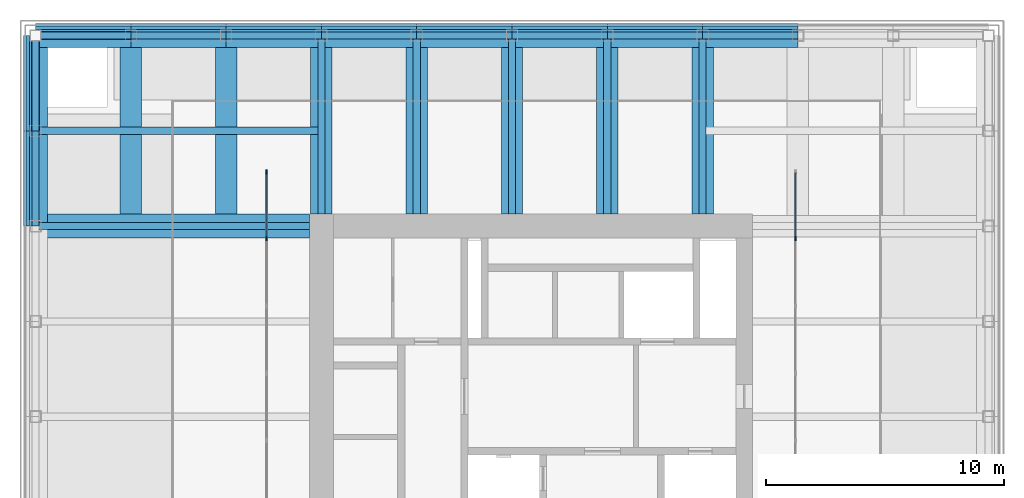
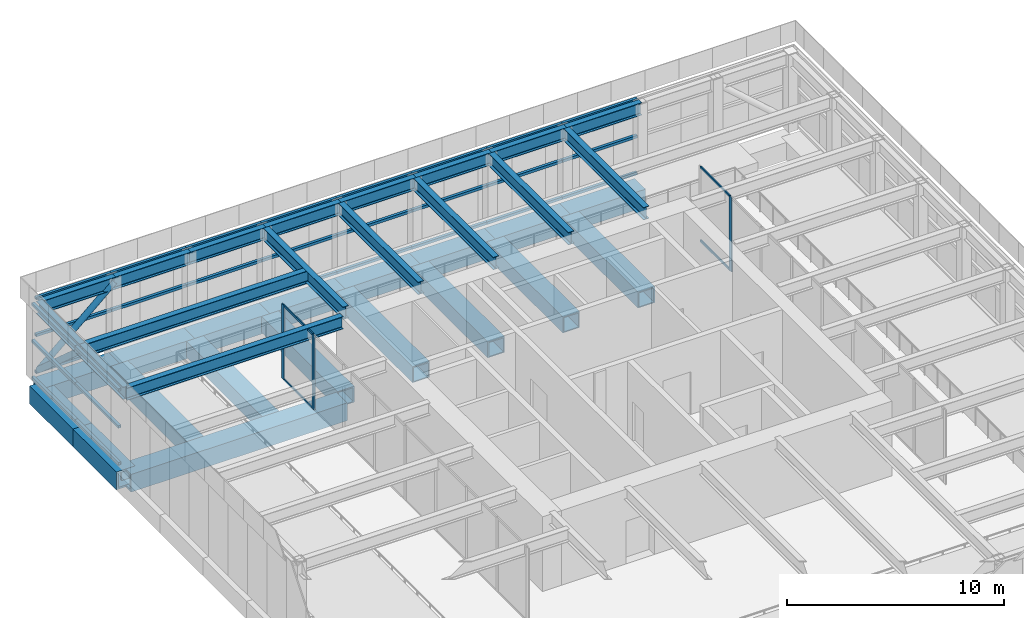
# One storey, part 5 of 11: 39 members, 35 beams, 2 elements without a shape of their own.
"""IFC4 building model written with IfcOpenShell, lengths in metres."""

from ifc_helpers import new_model, si_unit, direction, frame, origin, origin_2d, place, context, subcontext, project, spatial, rectangle, hollow_rectangle, hollow_circle, i_section, extrude, material, material_profile, profile_set, type_object, element, aggregate, save


model = new_model("IFC4")

# Units and contexts
model_context = context("Model", 3, precision=1e-05, world=origin(), true_north=direction((0.0, 1.0)))
body_context = subcontext(model_context, "Body", "Model", "MODEL_VIEW")
ifc_project = project(units=[si_unit("LENGTHUNIT", "METRE"), si_unit("AREAUNIT", "SQUARE_METRE"), si_unit("VOLUMEUNIT", "CUBIC_METRE"), si_unit("PLANEANGLEUNIT", "RADIAN"), si_unit("MASSUNIT", "GRAM", prefix="KILO")], contexts=[model_context])

# Site, building, storey
site_placement = place(None, origin())
site = spatial("IfcSite", under=ifc_project, at=site_placement, CompositionType="ELEMENT")
building_placement = place(site_placement, origin())
building = spatial("IfcBuilding", under=site, at=building_placement, Name="Rimbunsela Tower", CompositionType="ELEMENT")
storey_placement = place(building_placement, frame((0.0, 0.0, 304.199951171875)))
storey = spatial("IfcBuildingStorey", under=building, at=storey_placement, Name="RF", CompositionType="ELEMENT", Elevation=304.199951171875)

# Beams
ifc_material_1 = material(Name="Steel BJ 55 (fy 410 MPa)", Category="steel")
ifc_material_profile_1 = material_profile(ifc_material_1, hollow_rectangle(XDim=1.0, YDim=1.0, WallThickness=0.10009765625, at=origin_2d()), Name="BOX 1000x1000x100")
ifc_profile_set_1 = profile_set([ifc_material_profile_1], Name="Steel BJ 55 (fy 410 MPa)")
beam_type_1 = type_object("IfcBeamType", Name="Beam BOX 1000x1000x100", PredefinedType="BEAM", material=ifc_profile_set_1)
beam_1_placement = place(storey_placement, frame((6.0, 36.0, -0.800048828125), z_axis=(0.0, 1.0, 0.0), x_axis=(-1.0, 0.0, 0.0)))
element("IfcBeam", 1, at=beam_1_placement, inside=storey, type_object=beam_type_1, Name="Beam B3 RF", PredefinedType="BEAM", context=body_context, shape_type="SweptSolid", body=[
    extrude(hollow_rectangle(XDim=1.0, YDim=1.0, WallThickness=0.10009765625, at=origin_2d()), origin(), (0.0, 0.0, 1.0), 4.0),
])
beam_2_placement = place(storey_placement, frame((6.0, 36.0, -0.800048828125), z_axis=(1.0, 0.0, 0.0), x_axis=(0.0, 1.0, 0.0)))
element("IfcBeam", 2, at=beam_2_placement, inside=storey, type_object=beam_type_1, Name="Beam B3 RF", PredefinedType="BEAM", context=body_context, shape_type="SweptSolid", body=[
    extrude(hollow_rectangle(XDim=1.0, YDim=1.0, WallThickness=0.10009765625, at=origin_2d()), origin(), (0.0, 0.0, 1.0), 11.5),
])
for number, where, z_axis, x_axis, name in (
    (3, (6.0, 40.0, -0.800048828125), (0.0, 1.0, 0.0), (-1.0, 0.0, 0.0), "Beam B3 RF"),
    (4, (6.0, 44.0, -0.800048828125), (1.0, 0.0, 0.0), (0.0, 1.0, 0.0), "Beam B3 RF"),
    (5, (10.0, 44.0, -0.800048828125), (1.0, 0.0, 0.0), (0.0, 1.0, 0.0), "Beam B3 RF"),
    (6, (14.0, 44.0, -0.800048828125), (1.0, 0.0, 0.0), (0.0, 1.0, 0.0), "Beam B3 RF"),
    (7, (18.0, 44.0, -0.800048828125), (1.0, 0.0, 0.0), (0.0, 1.0, 0.0), "Beam B3 RF"),
    (8, (22.0, 44.0, -0.800048828125), (1.0, 0.0, 0.0), (0.0, 1.0, 0.0), "Beam B3 RF"),
    (9, (26.0, 44.0, -0.800048828125), (1.0, 0.0, 0.0), (0.0, 1.0, 0.0), "Beam B3 RF"),
    (10, (30.0, 44.0, -0.800048828125), (1.0, 0.0, 0.0), (0.0, 1.0, 0.0), "Beam B3 RF"),
    (11, (34.0, 44.0, -0.800048828125), (1.0, 0.0, 0.0), (0.0, 1.0, 0.0), "Beam B3 RF"),
):
    element("IfcBeam", number, at=place(storey_placement, frame(where, z_axis=z_axis, x_axis=x_axis)), inside=storey, type_object=beam_type_1, Name=name, PredefinedType="BEAM", context=body_context, shape_type="SweptSolid", body=[
        extrude(hollow_rectangle(XDim=1.0, YDim=1.0, WallThickness=0.10009765625, at=origin_2d()), origin(), (0.0, 0.0, 1.0), 4.0),
    ])
ifc_material_2 = material(Name="Steel BJ 55 (fy 410 MPa)", Category="steel")
ifc_material_profile_2 = material_profile(ifc_material_2, hollow_rectangle(XDim=0.89990234375, YDim=0.89990234375, WallThickness=0.06005859375, at=origin_2d()), Name="BOX 900x900x60")
ifc_profile_set_2 = profile_set([ifc_material_profile_2], Name="Steel BJ 55 (fy 410 MPa)")
beam_type_2 = type_object("IfcBeamType", Name="Beam BOX 900x900x60", PredefinedType="BEAM", material=ifc_profile_set_2)
for number, where, z_axis, x_axis, name in (
    (12, (10.0, 36.5, -0.75), (0.0, 1.0, 0.0), (-1.0, 0.0, 0.0), "Beam B1 RF"),
    (13, (14.0, 36.5, -0.75), (0.0, 1.0, 0.0), (-1.0, 0.0, 0.0), "Beam B1 RF"),
    (14, (18.0, 36.5, -0.75), (0.0, 1.0, 0.0), (-1.0, 0.0, 0.0), "Beam B1 RF"),
    (15, (22.0, 36.5, -0.75), (0.0, 1.0, 0.0), (-1.0, 0.0, 0.0), "Beam B1 RF"),
    (16, (26.0, 36.5, -0.75), (0.0, 1.0, 0.0), (-1.0, 0.0, 0.0), "Beam B1 RF"),
    (17, (30.0, 36.5, -0.75), (0.0, 1.0, 0.0), (-1.0, 0.0, 0.0), "Beam B1 RF"),
    (18, (34.0, 36.5, -0.75), (0.0, 1.0, 0.0), (-1.0, 0.0, 0.0), "Beam B1 RF"),
):
    element("IfcBeam", number, at=place(storey_placement, frame(where, z_axis=z_axis, x_axis=x_axis)), inside=storey, type_object=beam_type_2, Name=name, PredefinedType="BEAM", context=body_context, shape_type="SweptSolid", body=[
        extrude(hollow_rectangle(XDim=0.89990234375, YDim=0.89990234375, WallThickness=0.06005859375, at=origin_2d()), origin(), (0.0, 0.0, 1.0), 7.5),
    ])
ifc_material_3 = material(Name="Steel BJ 55 (fy 410 MPa)", Category="steel")
ifc_material_profile_3 = material_profile(ifc_material_3, i_section(OverallWidth=0.300048828125, OverallDepth=0.699951171875, WebThickness=0.012939453125, FlangeThickness=0.02392578125, FilletRadius=0.028076171875, at=origin_2d()), Name="H 700x300x13x24")
ifc_profile_set_3 = profile_set([ifc_material_profile_3], Name="Steel BJ 55 (fy 410 MPa)")
beam_type_3 = type_object("IfcBeamType", Name="Crown frame beam H 700x300x13x24", PredefinedType="BEAM", material=ifc_profile_set_3)
for number, where, z_axis, x_axis, name in (
    (19, (6.0, 36.0, 4.0), (0.0, 1.0, 0.0), (-1.0, 0.0, 0.0), "Crown frame edge beam CB1"),
    (20, (6.0, 40.0, 4.0), (0.0, 1.0, 0.0), (-1.0, 0.0, 0.0), "Crown frame edge beam CB1"),
    (21, (6.0, 44.0, 4.0), (1.0, 0.0, 0.0), (0.0, 1.0, 0.0), "Crown frame edge beam CB1"),
    (22, (10.0, 44.0, 4.0), (1.0, 0.0, 0.0), (0.0, 1.0, 0.0), "Crown frame edge beam CB1"),
    (23, (14.0, 44.0, 4.0), (1.0, 0.0, 0.0), (0.0, 1.0, 0.0), "Crown frame edge beam CB1"),
    (24, (18.0, 44.0, 4.0), (1.0, 0.0, 0.0), (0.0, 1.0, 0.0), "Crown frame edge beam CB1"),
    (25, (22.0, 44.0, 4.0), (1.0, 0.0, 0.0), (0.0, 1.0, 0.0), "Crown frame edge beam CB1"),
    (26, (26.0, 44.0, 4.0), (1.0, 0.0, 0.0), (0.0, 1.0, 0.0), "Crown frame edge beam CB1"),
    (27, (30.0, 44.0, 4.0), (1.0, 0.0, 0.0), (0.0, 1.0, 0.0), "Crown frame edge beam CB1"),
    (28, (34.0, 44.0, 4.0), (1.0, 0.0, 0.0), (0.0, 1.0, 0.0), "Crown frame edge beam CB1"),
):
    element("IfcBeam", number, at=place(storey_placement, frame(where, z_axis=z_axis, x_axis=x_axis)), inside=storey, type_object=beam_type_3, Name=name, PredefinedType="BEAM", context=body_context, shape_type="SweptSolid", body=[
        extrude(i_section(OverallWidth=0.300048828125, OverallDepth=0.699951171875, WebThickness=0.012939453125, FlangeThickness=0.02392578125, FilletRadius=0.028076171875, at=origin_2d()), origin(), (0.0, 0.0, 1.0), 4.0),
    ])
beam_3_placement = place(storey_placement, frame((6.0, 36.0, 4.0), z_axis=(1.0, 0.0, 0.0), x_axis=(0.0, 1.0, 0.0)))
element("IfcBeam", 29, at=beam_3_placement, inside=storey, type_object=beam_type_3, Name="Crown frame beam CB1", PredefinedType="BEAM", context=body_context, shape_type="SweptSolid", body=[
    extrude(i_section(OverallWidth=0.300048828125, OverallDepth=0.699951171875, WebThickness=0.012939453125, FlangeThickness=0.02392578125, FilletRadius=0.028076171875, at=origin_2d()), origin(), (0.0, 0.0, 1.0), 11.5),
])
for number, where, z_axis, x_axis, name in (
    (30, (18.0, 44.0, 4.0), (0.0, -1.0, 0.0), (1.0, 0.0, 0.0), "Crown frame beam CB1"),
    (31, (22.0, 44.0, 4.0), (0.0, -1.0, 0.0), (1.0, 0.0, 0.0), "Crown frame beam CB1"),
    (32, (26.0, 44.0, 4.0), (0.0, -1.0, 0.0), (1.0, 0.0, 0.0), "Crown frame beam CB1"),
    (33, (30.0, 44.0, 4.0), (0.0, -1.0, 0.0), (1.0, 0.0, 0.0), "Crown frame beam CB1"),
    (34, (34.0, 44.0, 4.0), (0.0, -1.0, 0.0), (1.0, 0.0, 0.0), "Crown frame beam CB1"),
):
    element("IfcBeam", number, at=place(storey_placement, frame(where, z_axis=z_axis, x_axis=x_axis)), inside=storey, type_object=beam_type_3, Name=name, PredefinedType="BEAM", context=body_context, shape_type="SweptSolid", body=[
        extrude(i_section(OverallWidth=0.300048828125, OverallDepth=0.699951171875, WebThickness=0.012939453125, FlangeThickness=0.02392578125, FilletRadius=0.028076171875, at=origin_2d()), origin(), (0.0, 0.0, 1.0), 7.5),
    ])

# Members
ifc_material_4 = material(Name="Steel BJ 55 (fy 410 MPa)", Category="steel")
ifc_material_profile_4 = material_profile(ifc_material_4, hollow_circle(Radius=0.1591796875, WallThickness=0.01025390625, at=origin_2d()), Name="CHS 318.5x10.3")
ifc_profile_set_4 = profile_set([ifc_material_profile_4], Name="Steel BJ 55 (fy 410 MPa)")
member_type_1 = type_object("IfcMemberType", Name="Crown frame brace CHS 318.5x10.3", PredefinedType="BRACE", material=ifc_profile_set_4)
for number, where, z_axis, x_axis, name in (
    (35, (6.0, 44.0, 0.449951171875), (0.0, -0.747920371053, 0.663788459197), (1.0, 0.0, 0.0), "Crown frame brace CX1"),
    (36, (6.0, 44.0, 0.449951171875), (0.747920371053, 0.0, 0.663788459197), (0.0, 1.0, 0.0), "Crown frame brace CX1"),
):
    element("IfcMember", number, at=place(storey_placement, frame(where, z_axis=z_axis, x_axis=x_axis)), inside=storey, type_object=member_type_1, Name=name, PredefinedType="BRACE", context=body_context, shape_type="SweptSolid", body=[
        extrude(hollow_circle(Radius=0.1591796875, WallThickness=0.01025390625, at=origin_2d()), origin(), (0.0, 0.0, 1.0), 5.34814453125),
    ])

# Beam
ifc_material_5 = material(Name="Steel BJ 55 (fy 410 MPa)", Category="steel")
ifc_material_profile_5 = material_profile(ifc_material_5, i_section(OverallWidth=0.300048828125, OverallDepth=0.699951171875, WebThickness=0.012939453125, FlangeThickness=0.02392578125, FilletRadius=0.028076171875, at=origin_2d()), Name="H 700x300x13x24")
ifc_profile_set_5 = profile_set([ifc_material_profile_5], Name="Steel BJ 55 (fy 410 MPa)")
beam_type_4 = type_object("IfcBeamType", Name="Crown frame purlin H 700x300x13x24", PredefinedType="BEAM", material=ifc_profile_set_5)
beam_4_placement = place(storey_placement, frame((6.0, 40.0, 4.0), z_axis=(1.0, 0.0, 0.0), x_axis=(0.0, 1.0, 0.0)))
element("IfcBeam", 37, at=beam_4_placement, inside=storey, type_object=beam_type_4, Name="Crown frame purlin PU1", PredefinedType="BEAM", context=body_context, shape_type="SweptSolid", body=[
    extrude(i_section(OverallWidth=0.300048828125, OverallDepth=0.699951171875, WebThickness=0.012939453125, FlangeThickness=0.02392578125, FilletRadius=0.028076171875, at=origin_2d()), origin(), (0.0, 0.0, 1.0), 12.0),
])

# Members
ifc_material_6 = material(Name="Steel BJ 55 (fy 410 MPa)", Category="steel")
ifc_material_profile_6 = material_profile(ifc_material_6, hollow_rectangle(XDim=0.14990234375, YDim=0.14990234375, WallThickness=0.006103515625, at=origin_2d()), Name="SHS 150x150x6.0")
ifc_profile_set_6 = profile_set([ifc_material_profile_6], Name="Steel BJ 55 (fy 410 MPa)")
member_type_2 = type_object("IfcMemberType", Name="Crown screen rail SHS 150x150x6.0", PredefinedType="MEMBER", material=ifc_profile_set_6)
for number, where, z_axis, x_axis, name in (
    (38, (6.0, 44.324951171875, 0.125), (1.0, 0.0, 0.0), (0.0, 1.0, 0.0), "Crown screen rail SR1"),
    (39, (6.0, 44.324951171875, 2.199951171875), (1.0, 0.0, 0.0), (0.0, 1.0, 0.0), "Crown screen rail SR1"),
    (40, (6.0, 44.324951171875, 4.275146484375), (1.0, 0.0, 0.0), (0.0, 1.0, 0.0), "Crown screen rail SR1"),
    (41, (10.0, 44.324951171875, 0.125), (1.0, 0.0, 0.0), (0.0, 1.0, 0.0), "Crown screen rail SR1"),
    (42, (10.0, 44.324951171875, 2.199951171875), (1.0, 0.0, 0.0), (0.0, 1.0, 0.0), "Crown screen rail SR1"),
    (43, (10.0, 44.324951171875, 4.275146484375), (1.0, 0.0, 0.0), (0.0, 1.0, 0.0), "Crown screen rail SR1"),
    (44, (14.0, 44.324951171875, 0.125), (1.0, 0.0, 0.0), (0.0, 1.0, 0.0), "Crown screen rail SR1"),
    (45, (14.0, 44.324951171875, 2.199951171875), (1.0, 0.0, 0.0), (0.0, 1.0, 0.0), "Crown screen rail SR1"),
    (46, (14.0, 44.324951171875, 4.275146484375), (1.0, 0.0, 0.0), (0.0, 1.0, 0.0), "Crown screen rail SR1"),
    (47, (18.0, 44.324951171875, 0.125), (1.0, 0.0, 0.0), (0.0, 1.0, 0.0), "Crown screen rail SR1"),
    (48, (18.0, 44.324951171875, 2.199951171875), (1.0, 0.0, 0.0), (0.0, 1.0, 0.0), "Crown screen rail SR1"),
    (49, (18.0, 44.324951171875, 4.275146484375), (1.0, 0.0, 0.0), (0.0, 1.0, 0.0), "Crown screen rail SR1"),
    (50, (22.0, 44.324951171875, 0.125), (1.0, 0.0, 0.0), (0.0, 1.0, 0.0), "Crown screen rail SR1"),
    (51, (22.0, 44.324951171875, 2.199951171875), (1.0, 0.0, 0.0), (0.0, 1.0, 0.0), "Crown screen rail SR1"),
    (52, (22.0, 44.324951171875, 4.275146484375), (1.0, 0.0, 0.0), (0.0, 1.0, 0.0), "Crown screen rail SR1"),
    (53, (26.0, 44.324951171875, 0.125), (1.0, 0.0, 0.0), (0.0, 1.0, 0.0), "Crown screen rail SR1"),
    (54, (26.0, 44.324951171875, 2.199951171875), (1.0, 0.0, 0.0), (0.0, 1.0, 0.0), "Crown screen rail SR1"),
    (55, (26.0, 44.324951171875, 4.275146484375), (1.0, 0.0, 0.0), (0.0, 1.0, 0.0), "Crown screen rail SR1"),
    (56, (30.0, 44.324951171875, 0.125), (1.0, 0.0, 0.0), (0.0, 1.0, 0.0), "Crown screen rail SR1"),
    (57, (30.0, 44.324951171875, 2.199951171875), (1.0, 0.0, 0.0), (0.0, 1.0, 0.0), "Crown screen rail SR1"),
    (58, (30.0, 44.324951171875, 4.275146484375), (1.0, 0.0, 0.0), (0.0, 1.0, 0.0), "Crown screen rail SR1"),
    (59, (34.0, 44.324951171875, 0.125), (1.0, 0.0, 0.0), (0.0, 1.0, 0.0), "Crown screen rail SR1"),
    (60, (34.0, 44.324951171875, 2.199951171875), (1.0, 0.0, 0.0), (0.0, 1.0, 0.0), "Crown screen rail SR1"),
    (61, (34.0, 44.324951171875, 4.275146484375), (1.0, 0.0, 0.0), (0.0, 1.0, 0.0), "Crown screen rail SR1"),
    (62, (5.675048828125, 36.0, 0.125), (0.0, 1.0, 0.0), (-1.0, 0.0, 0.0), "Crown screen rail SR1"),
    (63, (5.675048828125, 36.0, 2.199951171875), (0.0, 1.0, 0.0), (-1.0, 0.0, 0.0), "Crown screen rail SR1"),
    (64, (5.675048828125, 36.0, 4.275146484375), (0.0, 1.0, 0.0), (-1.0, 0.0, 0.0), "Crown screen rail SR1"),
    (65, (5.675048828125, 40.0, 0.125), (0.0, 1.0, 0.0), (-1.0, 0.0, 0.0), "Crown screen rail SR1"),
    (66, (5.675048828125, 40.0, 2.199951171875), (0.0, 1.0, 0.0), (-1.0, 0.0, 0.0), "Crown screen rail SR1"),
    (67, (5.675048828125, 40.0, 4.275146484375), (0.0, 1.0, 0.0), (-1.0, 0.0, 0.0), "Crown screen rail SR1"),
):
    element("IfcMember", number, at=place(storey_placement, frame(where, z_axis=z_axis, x_axis=x_axis)), inside=storey, type_object=member_type_2, Name=name, PredefinedType="MEMBER", context=body_context, shape_type="SweptSolid", body=[
        extrude(hollow_rectangle(XDim=0.14990234375, YDim=0.14990234375, WallThickness=0.006103515625, at=origin_2d()), origin(), (0.0, 0.0, 1.0), 4.0),
    ])

# Curtain wall, member
ifc_material_7 = material(Name="Aluminium curtain wall", Category="aluminium")
curtain_wall_type = type_object("IfcCurtainWallType", Name="Crown glazing", PredefinedType="USERDEFINED", material=ifc_material_7)
curtain_wall_1_placement = place(storey_placement, origin())
curtain_wall_1 = element("IfcCurtainWall", 68, at=curtain_wall_1_placement, inside=storey, type_object=curtain_wall_type, Name="Crown glazing RF", ObjectType="CROWN GLAZING", PredefinedType="USERDEFINED")
ifc_material_8 = material(Name="Aluminium mullion", Category="aluminium")
ifc_material_profile_7 = material_profile(ifc_material_8, rectangle(XDim=0.06005859375, YDim=0.199951171875, at=origin_2d()), Name="Mullion 60x200")
ifc_profile_set_7 = profile_set([ifc_material_profile_7], Name="Aluminium mullion")
member_type_3 = type_object("IfcMemberType", Name="Curtain wall mullion 60x200", PredefinedType="MULLION", material=ifc_profile_set_7)
member_1_placement = place(storey_placement, frame((37.89990234375, 35.47509765625, 0.0), z_axis=(0.0, 0.0, 1.0), x_axis=(-1.0, 0.0, 0.0)))
member_1 = element("IfcMember", 69, at=member_1_placement, type_object=member_type_3, Name="CW6 mullion 8", PredefinedType="MULLION", context=body_context, shape_type="SweptSolid", body=[
    extrude(rectangle(XDim=0.06005859375, YDim=0.199951171875, at=origin_2d()), origin(), (0.0, 0.0, 1.0), 4.199951171875),
])

# Curtain wall, members
curtain_wall_2_placement = place(storey_placement, origin())
curtain_wall_2 = element("IfcCurtainWall", 70, at=curtain_wall_2_placement, inside=storey, type_object=curtain_wall_type, Name="Crown glazing RF", ObjectType="CROWN GLAZING", PredefinedType="USERDEFINED")
member_2_placement = place(storey_placement, frame((15.699951171875, 38.27001953125, 0.0), z_axis=(0.0, 0.0, 1.0), x_axis=(1.0, 0.0, 0.0)))
member_2 = element("IfcMember", 71, at=member_2_placement, type_object=member_type_3, Name="CW6 mullion 1", PredefinedType="MULLION", context=body_context, shape_type="SweptSolid", body=[
    extrude(rectangle(XDim=0.06005859375, YDim=0.199951171875, at=origin_2d()), origin(), (0.0, 0.0, 1.0), 4.199951171875),
])
member_3_placement = place(storey_placement, frame((15.699951171875, 35.47509765625, 0.0), z_axis=(0.0, 0.0, 1.0), x_axis=(1.0, 0.0, 0.0)))
member_3 = element("IfcMember", 72, at=member_3_placement, type_object=member_type_3, Name="CW6 mullion 2", PredefinedType="MULLION", context=body_context, shape_type="SweptSolid", body=[
    extrude(rectangle(XDim=0.06005859375, YDim=0.199951171875, at=origin_2d()), origin(), (0.0, 0.0, 1.0), 4.199951171875),
])

# Member
ifc_material_9 = material(Name="Aluminium transom", Category="aluminium")
ifc_material_profile_8 = material_profile(ifc_material_9, rectangle(XDim=0.06005859375, YDim=0.1201171875, at=origin_2d()), Name="Transom 60x120")
ifc_profile_set_8 = profile_set([ifc_material_profile_8], Name="Aluminium transom")
member_type_4 = type_object("IfcMemberType", Name="Curtain wall transom 60x120", PredefinedType="USERDEFINED", material=ifc_profile_set_8)
member_4_placement = place(storey_placement, frame((37.89990234375, 35.5048828125, 0.030029296875), z_axis=(0.0, 1.0, 0.0), x_axis=(-1.0, 0.0, 0.0)))
member_4 = element("IfcMember", 73, at=member_4_placement, type_object=member_type_4, Name="CW6 transom 8.1", ObjectType="TRANSOM", PredefinedType="USERDEFINED", context=body_context, shape_type="SweptSolid", body=[
    extrude(rectangle(XDim=0.06005859375, YDim=0.1201171875, at=origin_2d()), origin(), (0.0, 0.0, 1.0), 2.735107421875),
])

member_5_placement = place(storey_placement, frame((37.89990234375, 35.5048828125, 4.170166015625), z_axis=(0.0, 1.0, 0.0), x_axis=(-1.0, 0.0, 0.0)))
member_5 = element("IfcMember", 74, at=member_5_placement, type_object=member_type_4, Name="CW6 transom 8.2", ObjectType="TRANSOM", PredefinedType="USERDEFINED", context=body_context, shape_type="SweptSolid", body=[
    extrude(rectangle(XDim=0.06005859375, YDim=0.1201171875, at=origin_2d()), origin(), (0.0, 0.0, 1.0), 2.735107421875),
])

aggregate(curtain_wall_1, [member_1, member_4, member_5])

member_6_placement = place(storey_placement, frame((15.699951171875, 38.239990234375, 0.030029296875), z_axis=(0.0, -1.0, 0.0), x_axis=(1.0, 0.0, 0.0)))
member_6 = element("IfcMember", 75, at=member_6_placement, type_object=member_type_4, Name="CW6 transom 1.1", ObjectType="TRANSOM", PredefinedType="USERDEFINED", context=body_context, shape_type="SweptSolid", body=[
    extrude(rectangle(XDim=0.06005859375, YDim=0.1201171875, at=origin_2d()), origin(), (0.0, 0.0, 1.0), 2.735107421875),
])

member_7_placement = place(storey_placement, frame((15.699951171875, 38.239990234375, 4.170166015625), z_axis=(0.0, -1.0, 0.0), x_axis=(1.0, 0.0, 0.0)))
member_7 = element("IfcMember", 76, at=member_7_placement, type_object=member_type_4, Name="CW6 transom 1.2", ObjectType="TRANSOM", PredefinedType="USERDEFINED", context=body_context, shape_type="SweptSolid", body=[
    extrude(rectangle(XDim=0.06005859375, YDim=0.1201171875, at=origin_2d()), origin(), (0.0, 0.0, 1.0), 2.735107421875),
])

aggregate(curtain_wall_2, [member_2, member_3, member_6, member_7])

save(model, "model.ifc")
